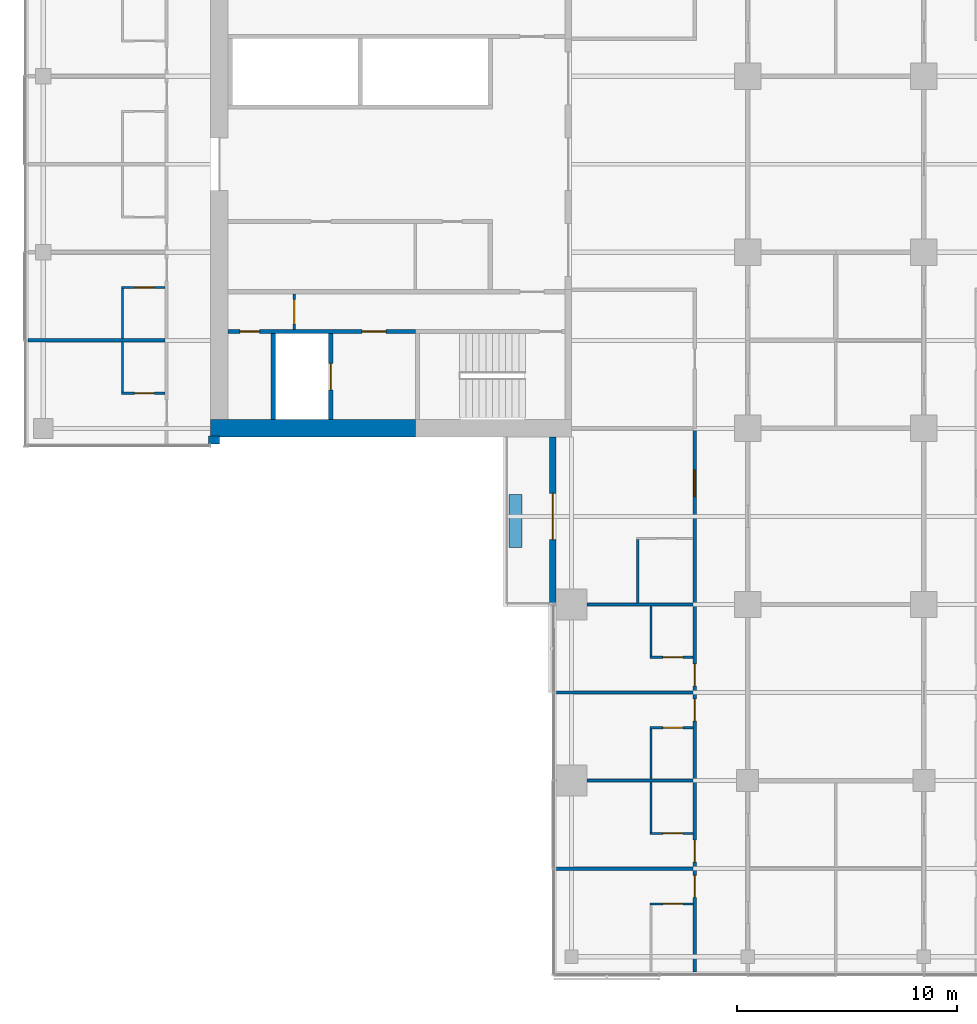
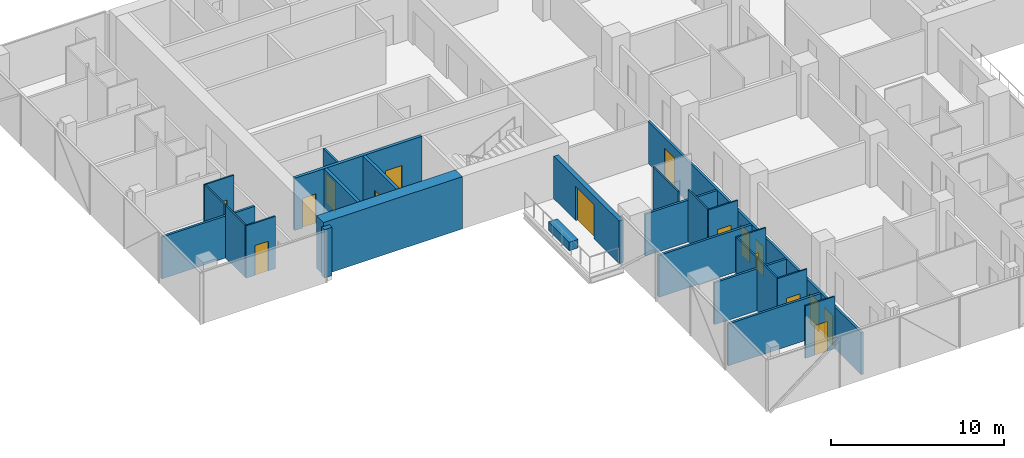
# One storey, part 15 of 29: 26 walls, 16 doors, 16 openings.
"""IFC4 building model written with IfcOpenShell, lengths in metres."""

from ifc_helpers import new_model, si_unit, direction, frame, frame_2d, origin, place, context, subcontext, project, spatial, rectangle, extrude, material, layer, layer_set, constituent, constituent_set, type_object, element, fill, save


model = new_model("IFC4")

# Units and contexts
model_context = context("Model", 3, precision=1e-05, world=origin(), true_north=direction((0.0, 1.0)))
body_context = subcontext(model_context, "Body", "Model", "MODEL_VIEW")
ifc_project = project(units=[si_unit("LENGTHUNIT", "METRE"), si_unit("AREAUNIT", "SQUARE_METRE"), si_unit("VOLUMEUNIT", "CUBIC_METRE"), si_unit("PLANEANGLEUNIT", "RADIAN"), si_unit("MASSUNIT", "GRAM", prefix="KILO")], contexts=[model_context])

# Site, building, storey
site_placement = place(None, origin())
site = spatial("IfcSite", under=ifc_project, at=site_placement, CompositionType="ELEMENT")
building_placement = place(site_placement, origin())
building = spatial("IfcBuilding", under=site, at=building_placement, Name="Crosswind Convention Tower", CompositionType="ELEMENT")
storey_placement = place(building_placement, frame((0.0, 0.0, 60.89990234375)))
storey = spatial("IfcBuildingStorey", under=building, at=storey_placement, Name="L09", CompositionType="ELEMENT", Elevation=60.89990234375)

# Wall, opening, door
ifc_material_1 = material(Name="Concrete C50/60", Category="concrete")
ifc_layer_1 = layer(ifc_material_1, 0.199951171875)
ifc_layer_set_1 = layer_set([ifc_layer_1], Name="Concrete C50/60")
wall_type_1 = type_object("IfcWallType", Name="Concrete shaft and stair wall 200", PredefinedType="SHEAR", material=ifc_layer_set_1)
wall_1_placement = place(storey_placement, frame((102.050048828125, 92.300048828125, 0.0), z_axis=(0.0, 0.0, 1.0), x_axis=(0.0, -1.0, 0.0)))
wall_1 = element("IfcWall", 1, at=wall_1_placement, inside=storey, type_object=wall_type_1, Name="Wall PFLW W L09", PredefinedType="SHEAR", context=body_context, shape_type="SweptSolid", body=[
    extrude(rectangle(XDim=3.900146484375, YDim=0.199951171875, at=frame_2d((1.9501953125, 0.0))), origin(), (0.0, 0.0, 1.0), 3.7001953125),
])
opening_1_placement = place(wall_1_placement, frame((1.35009765625, 0.0, 0.0)))
opening_1 = element("IfcOpeningElement", 2, at=opening_1_placement, cuts=wall_1, Name="Opening LD1", PredefinedType="OPENING", context=body_context, shape_type="SweptSolid", body=[
    extrude(rectangle(XDim=1.199951171875, YDim=2.10009765625, at=frame_2d((0.60009765625, 1.050048828125))), frame((0.0, 0.10986328125, 0.0), z_axis=(0.0, -1.0, 0.0), x_axis=(1.0, 0.0, 0.0)), (0.0, 0.0, 1.0), 0.219970703125),
])
ifc_material_2 = material(Name="Stainless steel", Category="steel")
door_type_1 = type_object("IfcDoorType", Name="Lift landing door 1200x2100", OperationType="DOUBLE_DOOR_SLIDING", PredefinedType="DOOR", material=ifc_material_2)
door_1_placement = place(opening_1_placement, origin())
door_1 = element("IfcDoor", 3, at=door_1_placement, inside=storey, type_object=door_type_1, Name="Landing door FF2 L09", ObjectType="LD1", OperationType="DOUBLE_DOOR_SLIDING", OverallHeight=2.10009765625, OverallWidth=1.199951171875, PredefinedType="DOOR", context=body_context, shape_type="SweptSolid", body=[
    extrude(rectangle(XDim=1.199951171875, YDim=2.10009765625, at=frame_2d((0.60009765625, 1.050048828125))), frame((0.0, 0.02490234375, 0.0), z_axis=(0.0, -1.0, 0.0), x_axis=(1.0, 0.0, 0.0)), (0.0, 0.0, 1.0), 0.050048828125),
])
fill(opening_1, door_1)

# Wall
wall_2_placement = place(storey_placement, frame((99.449951171875, 92.300048828125, 0.0), z_axis=(0.0, 0.0, 1.0), x_axis=(0.0, -1.0, 0.0)))
element("IfcWall", 4, at=wall_2_placement, inside=storey, type_object=wall_type_1, Name="Wall PFSE W L09", PredefinedType="SHEAR", context=body_context, shape_type="SweptSolid", body=[
    extrude(rectangle(XDim=3.900146484375, YDim=0.199951171875, at=frame_2d((1.9501953125, 0.0))), origin(), (0.0, 0.0, 1.0), 3.7001953125),
])

# Wall, openings, doors
wall_3_placement = place(storey_placement, frame((105.89990234375, 92.39990234375, 0.0), z_axis=(0.0, 0.0, 1.0), x_axis=(-1.0, 0.0, 0.0)))
wall_3 = element("IfcWall", 5, at=wall_3_placement, inside=storey, type_object=wall_type_1, Name="Wall PCX W L09", PredefinedType="SHEAR", context=body_context, shape_type="SweptSolid", body=[
    extrude(rectangle(XDim=8.5, YDim=0.199951171875, at=frame_2d((4.25, 0.0))), origin(), (0.0, 0.0, 1.0), 3.7001953125),
])
opening_2_placement = place(wall_3_placement, frame((1.324951171875, 0.0, 0.0)))
opening_2 = element("IfcOpeningElement", 6, at=opening_2_placement, cuts=wall_3, Name="Opening D104", PredefinedType="OPENING", context=body_context, shape_type="SweptSolid", body=[
    extrude(rectangle(XDim=1.10009765625, YDim=2.10009765625, at=frame_2d((0.550048828125, 1.050048828125))), frame((0.0, 0.10986328125, 0.0), z_axis=(0.0, -1.0, 0.0), x_axis=(1.0, 0.0, 0.0)), (0.0, 0.0, 1.0), 0.219970703125),
])
opening_3_placement = place(wall_3_placement, frame((7.074951171875, 0.0, 0.0)))
opening_3 = element("IfcOpeningElement", 7, at=opening_3_placement, cuts=wall_3, Name="Opening D106", PredefinedType="OPENING", context=body_context, shape_type="SweptSolid", body=[
    extrude(rectangle(XDim=0.89990234375, YDim=2.10009765625, at=frame_2d((0.449951171875, 1.050048828125))), frame((0.0, 0.10986328125, 0.0), z_axis=(0.0, -1.0, 0.0), x_axis=(1.0, 0.0, 0.0)), (0.0, 0.0, 1.0), 0.219970703125),
])
ifc_material_3 = material(Name="Steel fire door", Category="steel")
door_type_2 = type_object("IfcDoorType", Name="Fire-rated single door 1100x2100", OperationType="NOTDEFINED", PredefinedType="DOOR", material=ifc_material_3)
door_2_placement = place(opening_2_placement, origin())
door_2 = element("IfcDoor", 8, at=door_2_placement, inside=storey, type_object=door_type_2, Name="Fire-fighting lobby FF2 door L09", ObjectType="D104", OperationType="SINGLE_SWING_RIGHT", OverallHeight=2.10009765625, OverallWidth=1.10009765625, PredefinedType="DOOR", context=body_context, shape_type="SweptSolid", body=[
    extrude(rectangle(XDim=1.10009765625, YDim=2.10009765625, at=frame_2d((0.550048828125, 1.050048828125))), frame((0.0, 0.02490234375, 0.0), z_axis=(0.0, -1.0, 0.0), x_axis=(1.0, 0.0, 0.0)), (0.0, 0.0, 1.0), 0.050048828125),
])
fill(opening_2, door_2)
ifc_material_4 = material(Name="Timber door", Category="wood")
door_type_3 = type_object("IfcDoorType", Name="Single leaf door 900x2100", OperationType="NOTDEFINED", PredefinedType="DOOR", material=ifc_material_4)
door_3_placement = place(opening_3_placement, origin())
door_3 = element("IfcDoor", 9, at=door_3_placement, inside=storey, type_object=door_type_3, Name="Door to telecoms room L09", ObjectType="D106", OperationType="SINGLE_SWING_RIGHT", OverallHeight=2.10009765625, OverallWidth=0.89990234375, PredefinedType="DOOR", context=body_context, shape_type="SweptSolid", body=[
    extrude(rectangle(XDim=0.89990234375, YDim=2.10009765625, at=frame_2d((0.449951171875, 1.050048828125))), frame((0.0, 0.02490234375, 0.0), z_axis=(0.0, -1.0, 0.0), x_axis=(1.0, 0.0, 0.0)), (0.0, 0.0, 1.0), 0.050048828125),
])
fill(opening_3, door_3)

# Wall, opening, door
ifc_material_5 = material(Name="Gypsum plasterboard partition", Category="gypsum")
ifc_layer_2 = layer(ifc_material_5, 0.125)
ifc_layer_set_2 = layer_set([ifc_layer_2], Name="Drywall partition wall 125")
wall_type_2 = type_object("IfcWallType", Name="Drywall partition wall 125", PredefinedType="PARTITIONING", material=ifc_layer_set_2)
wall_4_placement = place(storey_placement, frame((100.39990234375, 94.10009765625, 0.0), z_axis=(0.0, 0.0, 1.0), x_axis=(0.0, -1.0, 0.0)))
wall_4 = element("IfcWall", 10, at=wall_4_placement, inside=storey, type_object=wall_type_2, Name="Wall PXC1 W L09", PredefinedType="PARTITIONING", context=body_context, shape_type="SweptSolid", body=[
    extrude(rectangle(XDim=1.60009765625, YDim=0.125, at=frame_2d((0.800048828125, 0.0))), origin(), (0.0, 0.0, 1.0), 3.7001953125),
])
opening_4_placement = place(wall_4_placement, frame((0.25, 0.0, 0.0)))
opening_4 = element("IfcOpeningElement", 11, at=opening_4_placement, cuts=wall_4, Name="Opening D104", PredefinedType="OPENING", context=body_context, shape_type="SweptSolid", body=[
    extrude(rectangle(XDim=1.10009765625, YDim=2.10009765625, at=frame_2d((0.550048828125, 1.050048828125))), frame((0.0, 0.072509765625, 0.0), z_axis=(0.0, -1.0, 0.0), x_axis=(1.0, 0.0, 0.0)), (0.0, 0.0, 1.0), 0.14501953125),
])
door_4_placement = place(opening_4_placement, origin())
door_4 = element("IfcDoor", 12, at=door_4_placement, inside=storey, type_object=door_type_2, Name="Corridor smoke door L09", ObjectType="D104", OperationType="SINGLE_SWING_RIGHT", OverallHeight=2.10009765625, OverallWidth=1.10009765625, PredefinedType="DOOR", context=body_context, shape_type="SweptSolid", body=[
    extrude(rectangle(XDim=1.10009765625, YDim=2.10009765625, at=frame_2d((0.550048828125, 1.050048828125))), frame((0.0, 0.02490234375, 0.0), z_axis=(0.0, -1.0, 0.0), x_axis=(1.0, 0.0, 0.0)), (0.0, 0.0, 1.0), 0.050048828125),
])
fill(opening_4, door_4)

# Walls
ifc_material_6 = material(Name="Acoustic plasterboard partition", Category="gypsum")
ifc_layer_3 = layer(ifc_material_6, 0.14990234375)
ifc_layer_set_3 = layer_set([ifc_layer_3], Name="GUEST ROOM WALL 150")
wall_type_3 = type_object("IfcWallType", Name="GUEST ROOM WALL 150", PredefinedType="PARTITIONING", material=ifc_layer_set_3)
wall_5_placement = place(storey_placement, frame((112.300048828125, 68.0, 0.0), z_axis=(0.0, 0.0, 1.0), x_axis=(1.0, 0.0, 0.0)))
element("IfcWall", 13, at=wall_5_placement, inside=storey, type_object=wall_type_3, Name="Guest Room Wall 3", PredefinedType="PARTITIONING", context=body_context, shape_type="SweptSolid", body=[
    extrude(rectangle(XDim=6.224853515625, YDim=0.14990234375, at=frame_2d((3.1123046875, 0.0))), origin(), (0.0, 0.0, 1.0), 2.962890625),
])
wall_6_placement = place(storey_placement, frame((113.699951171875, 72.0, 0.0), z_axis=(0.0, 0.0, 1.0), x_axis=(1.0, 0.0, 0.0)))
element("IfcWall", 14, at=wall_6_placement, inside=storey, type_object=wall_type_3, Name="Guest Room Wall 8", PredefinedType="PARTITIONING", context=body_context, shape_type="SweptSolid", body=[
    extrude(rectangle(XDim=4.824951171875, YDim=0.14990234375, at=frame_2d((2.41259765625, 0.0))), origin(), (0.0, 0.0, 1.0), 2.9599609375),
])
wall_7_placement = place(storey_placement, frame((112.300048828125, 76.0, 0.0), z_axis=(0.0, 0.0, 1.0), x_axis=(1.0, 0.0, 0.0)))
element("IfcWall", 15, at=wall_7_placement, inside=storey, type_object=wall_type_3, Name="Guest Room Wall 13", PredefinedType="PARTITIONING", context=body_context, shape_type="SweptSolid", body=[
    extrude(rectangle(XDim=6.224853515625, YDim=0.14990234375, at=frame_2d((3.1123046875, 0.0))), origin(), (0.0, 0.0, 1.0), 2.962890625),
])
wall_8_placement = place(storey_placement, frame((113.699951171875, 80.0, 0.0), z_axis=(0.0, 0.0, 1.0), x_axis=(1.0, 0.0, 0.0)))
element("IfcWall", 16, at=wall_8_placement, inside=storey, type_object=wall_type_3, Name="Guest Room Wall 17", PredefinedType="PARTITIONING", context=body_context, shape_type="SweptSolid", body=[
    extrude(rectangle(XDim=4.824951171875, YDim=0.14990234375, at=frame_2d((2.41259765625, 0.0))), origin(), (0.0, 0.0, 1.0), 2.9599609375),
])
wall_9_placement = place(storey_placement, frame((88.300048828125, 92.0, 0.0), z_axis=(0.0, 0.0, 1.0), x_axis=(1.0, 0.0, 0.0)))
element("IfcWall", 17, at=wall_9_placement, inside=storey, type_object=wall_type_3, Name="Guest Room Wall 27", PredefinedType="PARTITIONING", context=body_context, shape_type="SweptSolid", body=[
    extrude(rectangle(XDim=6.224853515625, YDim=0.14990234375, at=frame_2d((3.1123046875, 0.0))), origin(), (0.0, 0.0, 1.0), 2.962890625),
])

# Wall, openings, doors
wall_10_placement = place(storey_placement, frame((118.60009765625, 63.300048828125, 0.0), z_axis=(0.0, 0.0, 1.0), x_axis=(0.0, 1.0, 0.0)))
wall_10 = element("IfcWall", 18, at=wall_10_placement, inside=storey, type_object=wall_type_3, Name="Guest Room Wall 103", PredefinedType="PARTITIONING", context=body_context, shape_type="SweptSolid", body=[
    extrude(rectangle(XDim=24.699951171875, YDim=0.14990234375, at=frame_2d((12.35009765625, 0.0))), origin(), (0.0, 0.0, 1.0), 2.95654296875),
])
opening_5_placement = place(wall_10_placement, frame((21.60009765625, 0.0, 0.0)))
opening_5 = element("IfcOpeningElement", 19, at=opening_5_placement, cuts=wall_10, Name="Opening 09.035", PredefinedType="OPENING", context=body_context, shape_type="SweptSolid", body=[
    extrude(rectangle(XDim=1.199951171875, YDim=2.199951171875, at=frame_2d((0.60009765625, 1.10009765625))), frame((0.0, 0.0849609375, 0.0), z_axis=(0.0, -1.0, 0.0), x_axis=(1.0, 0.0, 0.0)), (0.0, 0.0, 1.0), 0.169921875),
])
opening_6_placement = place(wall_10_placement, frame((13.0, 0.0, 0.0)))
opening_6 = element("IfcOpeningElement", 20, at=opening_6_placement, cuts=wall_10, Name="Opening 09.037", PredefinedType="OPENING", context=body_context, shape_type="SweptSolid", body=[
    extrude(rectangle(XDim=1.0, YDim=2.10009765625, at=frame_2d((0.5, 1.050048828125))), frame((0.0, 0.0849609375, 0.0), z_axis=(0.0, -1.0, 0.0), x_axis=(1.0, 0.0, 0.0)), (0.0, 0.0, 1.0), 0.169921875),
])
opening_7_placement = place(wall_10_placement, frame((11.39990234375, 0.0, 0.0)))
opening_7 = element("IfcOpeningElement", 21, at=opening_7_placement, cuts=wall_10, Name="Opening 09.039", PredefinedType="OPENING", context=body_context, shape_type="SweptSolid", body=[
    extrude(rectangle(XDim=1.0, YDim=2.10009765625, at=frame_2d((0.5, 1.050048828125))), frame((0.0, 0.0849609375, 0.0), z_axis=(0.0, -1.0, 0.0), x_axis=(1.0, 0.0, 0.0)), (0.0, 0.0, 1.0), 0.169921875),
])
opening_8_placement = place(wall_10_placement, frame((5.0, 0.0, 0.0)))
opening_8 = element("IfcOpeningElement", 22, at=opening_8_placement, cuts=wall_10, Name="Opening 09.041", PredefinedType="OPENING", context=body_context, shape_type="SweptSolid", body=[
    extrude(rectangle(XDim=1.0, YDim=2.10009765625, at=frame_2d((0.5, 1.050048828125))), frame((0.0, 0.0849609375, 0.0), z_axis=(0.0, -1.0, 0.0), x_axis=(1.0, 0.0, 0.0)), (0.0, 0.0, 1.0), 0.169921875),
])
opening_9_placement = place(wall_10_placement, frame((3.39990234375, 0.0, 0.0)))
opening_9 = element("IfcOpeningElement", 23, at=opening_9_placement, cuts=wall_10, Name="Opening 09.043", PredefinedType="OPENING", context=body_context, shape_type="SweptSolid", body=[
    extrude(rectangle(XDim=1.0, YDim=2.10009765625, at=frame_2d((0.5, 1.050048828125))), frame((0.0, 0.0849609375, 0.0), z_axis=(0.0, -1.0, 0.0), x_axis=(1.0, 0.0, 0.0)), (0.0, 0.0, 1.0), 0.169921875),
])
ifc_material_7 = material(Name="Timber fire door", Category="wood")
door_type_4 = type_object("IfcDoorType", Name="GUEST ROOM DOOR 1000X2100", OperationType="NOTDEFINED", PredefinedType="DOOR", material=ifc_material_7)
door_5_placement = place(opening_6_placement, origin())
door_5 = element("IfcDoor", 24, at=door_5_placement, inside=storey, type_object=door_type_4, Name="Door 09.037", ObjectType="D1", OperationType="SINGLE_SWING_RIGHT", OverallHeight=2.10009765625, OverallWidth=1.0, PredefinedType="DOOR", context=body_context, shape_type="SweptSolid", body=[
    extrude(rectangle(XDim=1.0, YDim=2.10009765625, at=frame_2d((0.5, 1.050048828125))), frame((0.0, 0.02490234375, 0.0), z_axis=(0.0, -1.0, 0.0), x_axis=(1.0, 0.0, 0.0)), (0.0, 0.0, 1.0), 0.050048828125),
])
fill(opening_6, door_5)
door_6_placement = place(opening_7_placement, origin())
door_6 = element("IfcDoor", 25, at=door_6_placement, inside=storey, type_object=door_type_4, Name="Door 09.039", ObjectType="D1", OperationType="SINGLE_SWING_RIGHT", OverallHeight=2.10009765625, OverallWidth=1.0, PredefinedType="DOOR", context=body_context, shape_type="SweptSolid", body=[
    extrude(rectangle(XDim=1.0, YDim=2.10009765625, at=frame_2d((0.5, 1.050048828125))), frame((0.0, 0.02490234375, 0.0), z_axis=(0.0, -1.0, 0.0), x_axis=(1.0, 0.0, 0.0)), (0.0, 0.0, 1.0), 0.050048828125),
])
fill(opening_7, door_6)
door_7_placement = place(opening_8_placement, origin())
door_7 = element("IfcDoor", 26, at=door_7_placement, inside=storey, type_object=door_type_4, Name="Door 09.041", ObjectType="D1", OperationType="SINGLE_SWING_RIGHT", OverallHeight=2.10009765625, OverallWidth=1.0, PredefinedType="DOOR", context=body_context, shape_type="SweptSolid", body=[
    extrude(rectangle(XDim=1.0, YDim=2.10009765625, at=frame_2d((0.5, 1.050048828125))), frame((0.0, 0.02490234375, 0.0), z_axis=(0.0, -1.0, 0.0), x_axis=(1.0, 0.0, 0.0)), (0.0, 0.0, 1.0), 0.050048828125),
])
fill(opening_8, door_7)
door_8_placement = place(opening_9_placement, origin())
door_8 = element("IfcDoor", 27, at=door_8_placement, inside=storey, type_object=door_type_4, Name="Door 09.043", ObjectType="D1", OperationType="SINGLE_SWING_RIGHT", OverallHeight=2.10009765625, OverallWidth=1.0, PredefinedType="DOOR", context=body_context, shape_type="SweptSolid", body=[
    extrude(rectangle(XDim=1.0, YDim=2.10009765625, at=frame_2d((0.5, 1.050048828125))), frame((0.0, 0.02490234375, 0.0), z_axis=(0.0, -1.0, 0.0), x_axis=(1.0, 0.0, 0.0)), (0.0, 0.0, 1.0), 0.050048828125),
])
fill(opening_9, door_8)
door_type_5 = type_object("IfcDoorType", Name="SUITE DOOR 1200X2200", OperationType="DOUBLE_DOOR_SINGLE_SWING", PredefinedType="DOOR", material=ifc_material_7)
door_9_placement = place(opening_5_placement, origin())
door_9 = element("IfcDoor", 28, at=door_9_placement, inside=storey, type_object=door_type_5, Name="Door 09.035", ObjectType="D14", OperationType="DOUBLE_DOOR_SINGLE_SWING", OverallHeight=2.199951171875, OverallWidth=1.199951171875, PredefinedType="DOOR", context=body_context, shape_type="SweptSolid", body=[
    extrude(rectangle(XDim=1.199951171875, YDim=2.199951171875, at=frame_2d((0.60009765625, 1.10009765625))), frame((0.0, 0.02490234375, 0.0), z_axis=(0.0, -1.0, 0.0), x_axis=(1.0, 0.0, 0.0)), (0.0, 0.0, 1.0), 0.050048828125),
])
fill(opening_5, door_9)

# Walls
ifc_material_8 = material(Name="Concrete C30/37", Category="concrete")
ifc_layer_4 = layer(ifc_material_8, 0.60009765625)
ifc_layer_set_4 = layer_set([ifc_layer_4], Name="Concrete C30/37")
wall_type_4 = type_object("IfcWallType", Name="PLANTER BOX WALL 600", PredefinedType="SOLIDWALL", material=ifc_layer_set_4)
wall_11_placement = place(storey_placement, frame((110.449951171875, 85.0, 0.0), z_axis=(0.0, 0.0, 1.0), x_axis=(0.0, -1.0, 0.0)))
element("IfcWall", 29, at=wall_11_placement, inside=storey, type_object=wall_type_4, Name="PLANTER L09 S-W.1-1", PredefinedType="SOLIDWALL", context=body_context, shape_type="SweptSolid", body=[
    extrude(rectangle(XDim=2.39990234375, YDim=0.60009765625, at=frame_2d((1.199951171875, 0.0))), origin(), (0.0, 0.0, 1.0), 0.60009765625),
])
ifc_material_9 = material(Name="Terracotta rainscreen", Category="ceramic")
ifc_layer_5 = layer(ifc_material_9, 0.02001953125)
ifc_material_10 = material(Name="Mineral wool insulation", Category="insulation")
ifc_layer_6 = layer(ifc_material_10, 0.10009765625)
ifc_material_11 = material(Name="Concrete blockwork", Category="masonry")
ifc_layer_7 = layer(ifc_material_11, 0.236083984375)
ifc_layer_set_5 = layer_set([ifc_layer_5, ifc_layer_6, ifc_layer_7], Name="TERRACOTTA CORNER INFILL WALL 356")
wall_type_5 = type_object("IfcWallType", Name="TERRACOTTA CORNER INFILL WALL 356", PredefinedType="SOLIDWALL", material=ifc_layer_set_5)
wall_12_placement = place(storey_placement, frame((96.4951171875, 87.47802734375, 0.0), z_axis=(0.0, 0.0, 1.0), x_axis=(1.0, 0.0, 0.0)))
element("IfcWall", 30, at=wall_12_placement, inside=storey, type_object=wall_type_5, Name="Core corner infill wall L09 3", PredefinedType="SOLIDWALL", context=body_context, shape_type="SweptSolid", body=[
    extrude(rectangle(XDim=0.5048828125, YDim=0.35595703125, at=frame_2d((0.25244140625, 0.0))), origin(), (0.0, 0.0, 1.0), 3.420166015625),
])

# Wall, opening, door
ifc_layer_8 = layer(ifc_material_9, 0.02001953125)
ifc_layer_9 = layer(ifc_material_10, 0.10009765625)
ifc_layer_10 = layer(ifc_material_11, 0.179931640625)
ifc_layer_set_6 = layer_set([ifc_layer_8, ifc_layer_9, ifc_layer_10], Name="TERRACOTTA INFILL WALL 300")
wall_type_6 = type_object("IfcWallType", Name="TERRACOTTA INFILL WALL 300", PredefinedType="SOLIDWALL", material=ifc_layer_set_6)
wall_13_placement = place(storey_placement, frame((112.14990234375, 87.60009765625, 0.0), z_axis=(0.0, 0.0, 1.0), x_axis=(0.0, -1.0, 0.0)))
wall_13 = element("IfcWall", 31, at=wall_13_placement, inside=storey, type_object=wall_type_6, Name="Notch front wall L09 S-W.1-1", PredefinedType="SOLIDWALL", context=body_context, shape_type="SweptSolid", body=[
    extrude(rectangle(XDim=7.567626953125, YDim=0.300048828125, at=frame_2d((3.78369140625, 0.0))), origin(), (0.0, 0.0, 1.0), 3.013671875),
])
opening_10_placement = place(wall_13_placement, frame((2.550048828125, 0.0, 0.0)))
opening_10 = element("IfcOpeningElement", 32, at=opening_10_placement, cuts=wall_13, Name="Opening D141", PredefinedType="OPENING", context=body_context, shape_type="SweptSolid", body=[
    extrude(rectangle(XDim=2.10009765625, YDim=2.39990234375, at=frame_2d((1.050048828125, 1.199951171875))), frame((0.0, 0.159912109375, 0.0), z_axis=(0.0, -1.0, 0.0), x_axis=(1.0, 0.0, 0.0)), (0.0, 0.0, 1.0), 0.320068359375),
])
ifc_material_12 = material(Name="Aluminium glazed door", Category="aluminium")
door_type_6 = type_object("IfcDoorType", Name="BALCONY SLIDING DOOR 2100X2400", OperationType="SLIDING_TO_LEFT", PredefinedType="DOOR", material=ifc_material_12)
door_10_placement = place(opening_10_placement, frame((2.10009765625, 0.0, 0.0), z_axis=(0.0, 0.0, 1.0), x_axis=(-1.0, 0.0, 0.0)))
door_10 = element("IfcDoor", 33, at=door_10_placement, inside=storey, type_object=door_type_6, Name="D141 balcony door L09 S-W.1-1", ObjectType="D141", OperationType="SLIDING_TO_LEFT", OverallHeight=2.39990234375, OverallWidth=2.10009765625, PredefinedType="DOOR", context=body_context, shape_type="SweptSolid", body=[
    extrude(rectangle(XDim=2.10009765625, YDim=2.39990234375, at=frame_2d((1.050048828125, 1.199951171875))), frame((0.0, 0.02490234375, 0.0), z_axis=(0.0, -1.0, 0.0), x_axis=(1.0, 0.0, 0.0)), (0.0, 0.0, 1.0), 0.050048828125),
])
fill(opening_10, door_10)

# Wall
ifc_material_13 = material(Name="Concrete C60/75", Category="concrete")
ifc_constituent_1 = constituent(ifc_material_13, Name="Structure")
ifc_constituent_2 = constituent(ifc_material_9, Name="Facing")
ifc_constituent_set = constituent_set(constituents=[ifc_constituent_1, ifc_constituent_2], Name="Concrete C60/75, Terracotta rainscreen")
wall_type_7 = type_object("IfcWallType", Name="Terracotta rainscreen on concrete core wall 800", PredefinedType="SHEAR", material=ifc_constituent_set)
wall_14_placement = place(storey_placement, frame((105.89990234375, 88.0, 0.0), z_axis=(0.0, 0.0, 1.0), x_axis=(-1.0, 0.0, 0.0)))
element("IfcWall", 34, at=wall_14_placement, inside=storey, type_object=wall_type_7, Name="Wall N2 W L09", PredefinedType="SHEAR", context=body_context, shape_type="SweptSolid", body=[
    extrude(rectangle(XDim=9.2998046875, YDim=0.800048828125, at=frame_2d((4.64990234375, 0.0))), origin(), (0.0, 0.0, 1.0), 3.7001953125),
])

# Wall, opening, door
ifc_material_14 = material(Name="Water-resistant plasterboard partition", Category="gypsum")
ifc_layer_11 = layer(ifc_material_14, 0.10009765625)
ifc_layer_set_7 = layer_set([ifc_layer_11], Name="WET ROOM PARTITION 100")
wall_type_8 = type_object("IfcWallType", Name="WET ROOM PARTITION 100", PredefinedType="PLUMBINGWALL", material=ifc_layer_set_7)
wall_15_placement = place(storey_placement, frame((116.550048828125, 66.39990234375, 0.0), z_axis=(0.0, 0.0, 1.0), x_axis=(1.0, 0.0, 0.0)))
wall_15 = element("IfcWall", 35, at=wall_15_placement, inside=storey, type_object=wall_type_8, Name="Wet Room Partition 1", PredefinedType="PLUMBINGWALL", context=body_context, shape_type="SweptSolid", body=[
    extrude(rectangle(XDim=1.974853515625, YDim=0.10009765625, at=frame_2d((0.9873046875, 0.0))), origin(), (0.0, 0.0, 1.0), 3.7001953125),
])
opening_11_placement = place(wall_15_placement, frame((0.60009765625, 0.0, 0.0)))
opening_11 = element("IfcOpeningElement", 36, at=opening_11_placement, cuts=wall_15, Name="Opening 09.044", PredefinedType="OPENING", context=body_context, shape_type="SweptSolid", body=[
    extrude(rectangle(XDim=0.89990234375, YDim=2.10009765625, at=frame_2d((0.449951171875, 1.050048828125))), frame((0.0, 0.06005859375, 0.0), z_axis=(0.0, -1.0, 0.0), x_axis=(1.0, 0.0, 0.0)), (0.0, 0.0, 1.0), 0.1201171875),
])
door_type_7 = type_object("IfcDoorType", Name="EN-SUITE DOOR 900X2100", OperationType="NOTDEFINED", PredefinedType="DOOR", material=ifc_material_4)
door_11_placement = place(opening_11_placement, frame((0.89990234375, 0.0, 0.0), z_axis=(0.0, 0.0, 1.0), x_axis=(-1.0, 0.0, 0.0)))
door_11 = element("IfcDoor", 37, at=door_11_placement, inside=storey, type_object=door_type_7, Name="Door 09.044", ObjectType="D2", OperationType="SINGLE_SWING_LEFT", OverallHeight=2.10009765625, OverallWidth=0.89990234375, PredefinedType="DOOR", context=body_context, shape_type="SweptSolid", body=[
    extrude(rectangle(XDim=0.89990234375, YDim=2.10009765625, at=frame_2d((0.449951171875, 1.050048828125))), frame((0.0, 0.02490234375, 0.0), z_axis=(0.0, -1.0, 0.0), x_axis=(1.0, 0.0, 0.0)), (0.0, 0.0, 1.0), 0.050048828125),
])
fill(opening_11, door_11)

wall_16_placement = place(storey_placement, frame((116.550048828125, 69.60009765625, 0.0), z_axis=(0.0, 0.0, 1.0), x_axis=(1.0, 0.0, 0.0)))
wall_16 = element("IfcWall", 38, at=wall_16_placement, inside=storey, type_object=wall_type_8, Name="Wet Room Partition 6", PredefinedType="PLUMBINGWALL", context=body_context, shape_type="SweptSolid", body=[
    extrude(rectangle(XDim=1.974853515625, YDim=0.10009765625, at=frame_2d((0.9873046875, 0.0))), origin(), (0.0, 0.0, 1.0), 3.7001953125),
])
opening_12_placement = place(wall_16_placement, frame((0.60009765625, 0.0, 0.0)))
opening_12 = element("IfcOpeningElement", 39, at=opening_12_placement, cuts=wall_16, Name="Opening 09.042", PredefinedType="OPENING", context=body_context, shape_type="SweptSolid", body=[
    extrude(rectangle(XDim=0.89990234375, YDim=2.10009765625, at=frame_2d((0.449951171875, 1.050048828125))), frame((0.0, 0.06005859375, 0.0), z_axis=(0.0, -1.0, 0.0), x_axis=(1.0, 0.0, 0.0)), (0.0, 0.0, 1.0), 0.1201171875),
])
door_12_placement = place(opening_12_placement, origin())
door_12 = element("IfcDoor", 40, at=door_12_placement, inside=storey, type_object=door_type_7, Name="Door 09.042", ObjectType="D2", OperationType="SINGLE_SWING_RIGHT", OverallHeight=2.10009765625, OverallWidth=0.89990234375, PredefinedType="DOOR", context=body_context, shape_type="SweptSolid", body=[
    extrude(rectangle(XDim=0.89990234375, YDim=2.10009765625, at=frame_2d((0.449951171875, 1.050048828125))), frame((0.0, 0.02490234375, 0.0), z_axis=(0.0, -1.0, 0.0), x_axis=(1.0, 0.0, 0.0)), (0.0, 0.0, 1.0), 0.050048828125),
])
fill(opening_12, door_12)

wall_17_placement = place(storey_placement, frame((116.550048828125, 74.39990234375, 0.0), z_axis=(0.0, 0.0, 1.0), x_axis=(1.0, 0.0, 0.0)))
wall_17 = element("IfcWall", 41, at=wall_17_placement, inside=storey, type_object=wall_type_8, Name="Wet Room Partition 11", PredefinedType="PLUMBINGWALL", context=body_context, shape_type="SweptSolid", body=[
    extrude(rectangle(XDim=1.974853515625, YDim=0.10009765625, at=frame_2d((0.9873046875, 0.0))), origin(), (0.0, 0.0, 1.0), 3.7001953125),
])
opening_13_placement = place(wall_17_placement, frame((0.60009765625, 0.0, 0.0)))
opening_13 = element("IfcOpeningElement", 42, at=opening_13_placement, cuts=wall_17, Name="Opening 09.040", PredefinedType="OPENING", context=body_context, shape_type="SweptSolid", body=[
    extrude(rectangle(XDim=0.89990234375, YDim=2.10009765625, at=frame_2d((0.449951171875, 1.050048828125))), frame((0.0, 0.06005859375, 0.0), z_axis=(0.0, -1.0, 0.0), x_axis=(1.0, 0.0, 0.0)), (0.0, 0.0, 1.0), 0.1201171875),
])
door_13_placement = place(opening_13_placement, frame((0.89990234375, 0.0, 0.0), z_axis=(0.0, 0.0, 1.0), x_axis=(-1.0, 0.0, 0.0)))
door_13 = element("IfcDoor", 43, at=door_13_placement, inside=storey, type_object=door_type_7, Name="Door 09.040", ObjectType="D2", OperationType="SINGLE_SWING_LEFT", OverallHeight=2.10009765625, OverallWidth=0.89990234375, PredefinedType="DOOR", context=body_context, shape_type="SweptSolid", body=[
    extrude(rectangle(XDim=0.89990234375, YDim=2.10009765625, at=frame_2d((0.449951171875, 1.050048828125))), frame((0.0, 0.02490234375, 0.0), z_axis=(0.0, -1.0, 0.0), x_axis=(1.0, 0.0, 0.0)), (0.0, 0.0, 1.0), 0.050048828125),
])
fill(opening_13, door_13)

wall_18_placement = place(storey_placement, frame((116.550048828125, 77.60009765625, 0.0), z_axis=(0.0, 0.0, 1.0), x_axis=(1.0, 0.0, 0.0)))
wall_18 = element("IfcWall", 44, at=wall_18_placement, inside=storey, type_object=wall_type_8, Name="Wet Room Partition 15", PredefinedType="PLUMBINGWALL", context=body_context, shape_type="SweptSolid", body=[
    extrude(rectangle(XDim=1.974853515625, YDim=0.10009765625, at=frame_2d((0.9873046875, 0.0))), origin(), (0.0, 0.0, 1.0), 3.7001953125),
])
opening_14_placement = place(wall_18_placement, frame((0.60009765625, 0.0, 0.0)))
opening_14 = element("IfcOpeningElement", 45, at=opening_14_placement, cuts=wall_18, Name="Opening 09.038", PredefinedType="OPENING", context=body_context, shape_type="SweptSolid", body=[
    extrude(rectangle(XDim=0.89990234375, YDim=2.10009765625, at=frame_2d((0.449951171875, 1.050048828125))), frame((0.0, 0.06005859375, 0.0), z_axis=(0.0, -1.0, 0.0), x_axis=(1.0, 0.0, 0.0)), (0.0, 0.0, 1.0), 0.1201171875),
])
door_14_placement = place(opening_14_placement, origin())
door_14 = element("IfcDoor", 46, at=door_14_placement, inside=storey, type_object=door_type_7, Name="Door 09.038", ObjectType="D2", OperationType="SINGLE_SWING_RIGHT", OverallHeight=2.10009765625, OverallWidth=0.89990234375, PredefinedType="DOOR", context=body_context, shape_type="SweptSolid", body=[
    extrude(rectangle(XDim=0.89990234375, YDim=2.10009765625, at=frame_2d((0.449951171875, 1.050048828125))), frame((0.0, 0.02490234375, 0.0), z_axis=(0.0, -1.0, 0.0), x_axis=(1.0, 0.0, 0.0)), (0.0, 0.0, 1.0), 0.050048828125),
])
fill(opening_14, door_14)

wall_19_placement = place(storey_placement, frame((92.550048828125, 89.60009765625, 0.0), z_axis=(0.0, 0.0, 1.0), x_axis=(1.0, 0.0, 0.0)))
wall_19 = element("IfcWall", 47, at=wall_19_placement, inside=storey, type_object=wall_type_8, Name="Wet Room Partition 25", PredefinedType="PLUMBINGWALL", context=body_context, shape_type="SweptSolid", body=[
    extrude(rectangle(XDim=1.974853515625, YDim=0.10009765625, at=frame_2d((0.9873046875, 0.0))), origin(), (0.0, 0.0, 1.0), 3.7001953125),
])
opening_15_placement = place(wall_19_placement, frame((0.60009765625, 0.0, 0.0)))
opening_15 = element("IfcOpeningElement", 48, at=opening_15_placement, cuts=wall_19, Name="Opening 09.058", PredefinedType="OPENING", context=body_context, shape_type="SweptSolid", body=[
    extrude(rectangle(XDim=0.89990234375, YDim=2.10009765625, at=frame_2d((0.449951171875, 1.050048828125))), frame((0.0, 0.06005859375, 0.0), z_axis=(0.0, -1.0, 0.0), x_axis=(1.0, 0.0, 0.0)), (0.0, 0.0, 1.0), 0.1201171875),
])
door_15_placement = place(opening_15_placement, origin())
door_15 = element("IfcDoor", 49, at=door_15_placement, inside=storey, type_object=door_type_7, Name="Door 09.058", ObjectType="D2", OperationType="SINGLE_SWING_RIGHT", OverallHeight=2.10009765625, OverallWidth=0.89990234375, PredefinedType="DOOR", context=body_context, shape_type="SweptSolid", body=[
    extrude(rectangle(XDim=0.89990234375, YDim=2.10009765625, at=frame_2d((0.449951171875, 1.050048828125))), frame((0.0, 0.02490234375, 0.0), z_axis=(0.0, -1.0, 0.0), x_axis=(1.0, 0.0, 0.0)), (0.0, 0.0, 1.0), 0.050048828125),
])
fill(opening_15, door_15)

wall_20_placement = place(storey_placement, frame((92.550048828125, 94.39990234375, 0.0), z_axis=(0.0, 0.0, 1.0), x_axis=(1.0, 0.0, 0.0)))
wall_20 = element("IfcWall", 50, at=wall_20_placement, inside=storey, type_object=wall_type_8, Name="Wet Room Partition 33", PredefinedType="PLUMBINGWALL", context=body_context, shape_type="SweptSolid", body=[
    extrude(rectangle(XDim=1.974853515625, YDim=0.10009765625, at=frame_2d((0.9873046875, 0.0))), origin(), (0.0, 0.0, 1.0), 3.7001953125),
])
opening_16_placement = place(wall_20_placement, frame((0.60009765625, 0.0, 0.0)))
opening_16 = element("IfcOpeningElement", 51, at=opening_16_placement, cuts=wall_20, Name="Opening 09.060", PredefinedType="OPENING", context=body_context, shape_type="SweptSolid", body=[
    extrude(rectangle(XDim=0.89990234375, YDim=2.10009765625, at=frame_2d((0.449951171875, 1.050048828125))), frame((0.0, 0.06005859375, 0.0), z_axis=(0.0, -1.0, 0.0), x_axis=(1.0, 0.0, 0.0)), (0.0, 0.0, 1.0), 0.1201171875),
])
door_16_placement = place(opening_16_placement, frame((0.89990234375, 0.0, 0.0), z_axis=(0.0, 0.0, 1.0), x_axis=(-1.0, 0.0, 0.0)))
door_16 = element("IfcDoor", 52, at=door_16_placement, inside=storey, type_object=door_type_7, Name="Door 09.060", ObjectType="D2", OperationType="SINGLE_SWING_LEFT", OverallHeight=2.10009765625, OverallWidth=0.89990234375, PredefinedType="DOOR", context=body_context, shape_type="SweptSolid", body=[
    extrude(rectangle(XDim=0.89990234375, YDim=2.10009765625, at=frame_2d((0.449951171875, 1.050048828125))), frame((0.0, 0.02490234375, 0.0), z_axis=(0.0, -1.0, 0.0), x_axis=(1.0, 0.0, 0.0)), (0.0, 0.0, 1.0), 0.050048828125),
])
fill(opening_16, door_16)

# Walls
for number, where, z_axis, x_axis, name in (
    (53, (92.60009765625, 89.64990234375, 0.0), (0.0, 0.0, 1.0), (0.0, 1.0, 0.0), "Wet Room Partition 86"),
    (54, (92.60009765625, 92.074951171875, 0.0), (0.0, 0.0, 1.0), (0.0, 1.0, 0.0), "Wet Room Partition 87"),
):
    element("IfcWall", number, at=place(storey_placement, frame(where, z_axis=z_axis, x_axis=x_axis)), inside=storey, type_object=wall_type_8, Name=name, PredefinedType="PLUMBINGWALL", context=body_context, shape_type="SweptSolid", body=[
        extrude(rectangle(XDim=2.275146484375, YDim=0.10009765625, at=frame_2d((1.1376953125, 0.0))), origin(), (0.0, 0.0, 1.0), 3.7001953125),
    ])
wall_21_placement = place(storey_placement, frame((116.0, 80.074951171875, 0.0), z_axis=(0.0, 0.0, 1.0), x_axis=(0.0, 1.0, 0.0)))
element("IfcWall", 55, at=wall_21_placement, inside=storey, type_object=wall_type_8, Name="Wet Room Partition 93", PredefinedType="PLUMBINGWALL", context=body_context, shape_type="SweptSolid", body=[
    extrude(rectangle(XDim=2.875, YDim=0.10009765625, at=frame_2d((1.4375, 0.0))), origin(), (0.0, 0.0, 1.0), 3.7001953125),
])
for number, where, z_axis, x_axis, name in (
    (56, (116.60009765625, 69.64990234375, 0.0), (0.0, 0.0, 1.0), (0.0, 1.0, 0.0), "Wet Room Partition 96"),
    (57, (116.60009765625, 72.074951171875, 0.0), (0.0, 0.0, 1.0), (0.0, 1.0, 0.0), "Wet Room Partition 97"),
    (58, (116.60009765625, 77.64990234375, 0.0), (0.0, 0.0, 1.0), (0.0, 1.0, 0.0), "Wet Room Partition 98"),
):
    element("IfcWall", number, at=place(storey_placement, frame(where, z_axis=z_axis, x_axis=x_axis)), inside=storey, type_object=wall_type_8, Name=name, PredefinedType="PLUMBINGWALL", context=body_context, shape_type="SweptSolid", body=[
        extrude(rectangle(XDim=2.275146484375, YDim=0.10009765625, at=frame_2d((1.1376953125, 0.0))), origin(), (0.0, 0.0, 1.0), 3.7001953125),
    ])

save(model, "model.ifc")
